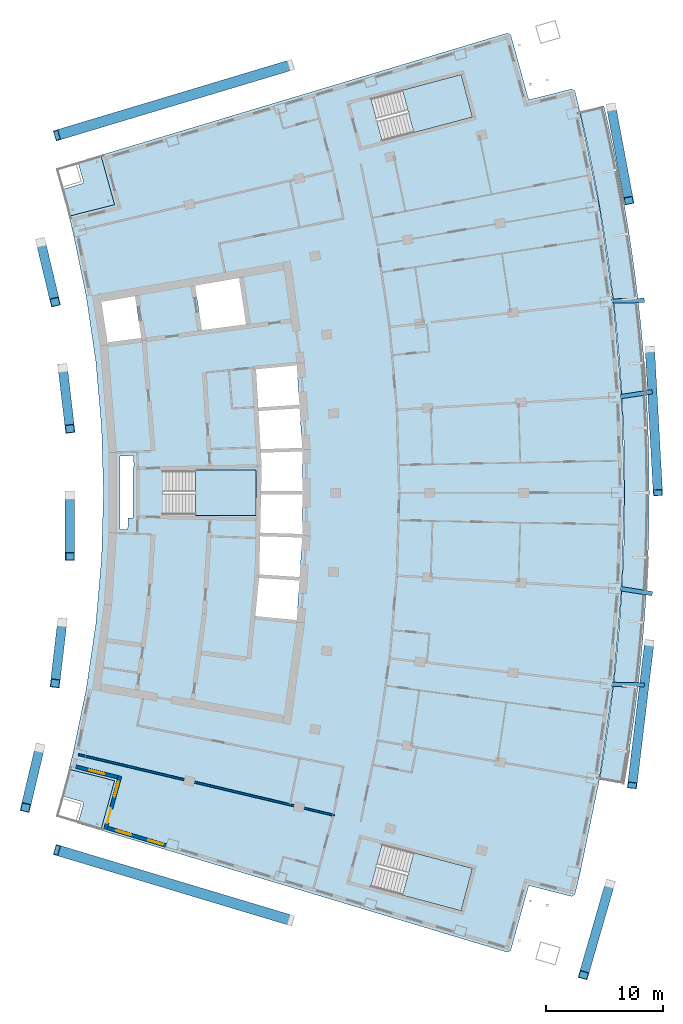
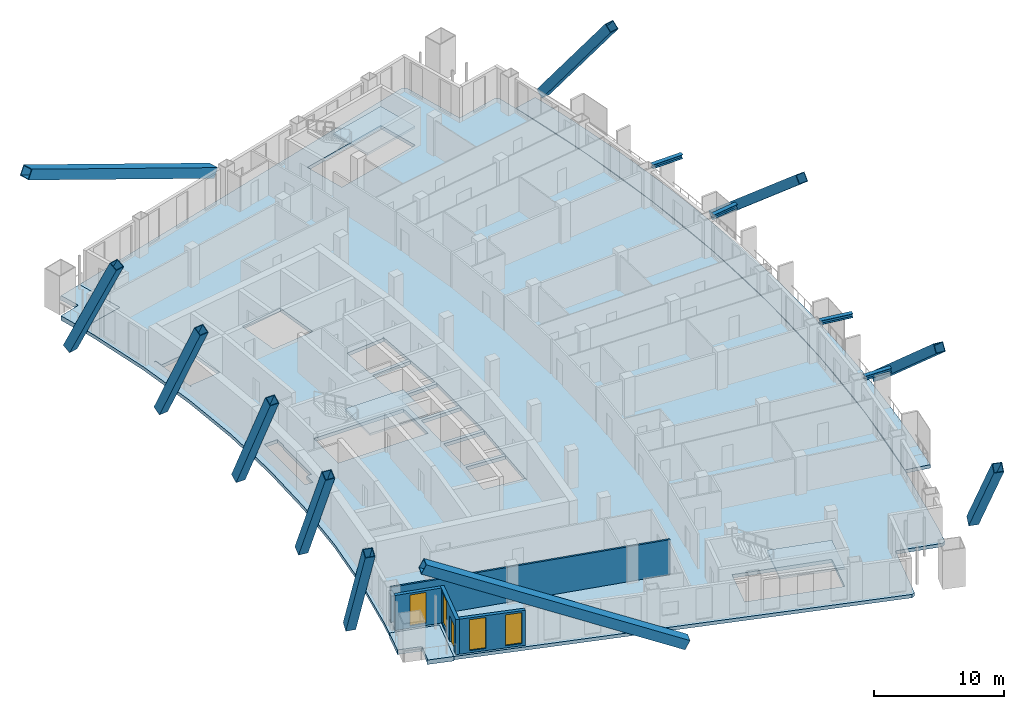
# One storey, part 9 of 20: 15 members, 7 slabs, 4 walls, 4 windows, 1 door, 5 openings, 3 elements without a shape of their own.
"""IFC4 building model written with IfcOpenShell, lengths in metres."""

from ifc_helpers import new_model, si_unit, direction, frame, frame_2d, origin, origin_2d, place, context, subcontext, project, spatial, polyline, rectangle, hollow_rectangle, i_section, outline, extrude, material, layer, layer_set, material_profile, profile_set, type_object, element, fill, aggregate, save


model = new_model("IFC4")

# Units and contexts
model_context = context("Model", 3, precision=1e-05, world=origin(), true_north=direction((0.0, 1.0)))
body_context = subcontext(model_context, "Body", "Model", "MODEL_VIEW")
ifc_project = project(units=[si_unit("LENGTHUNIT", "METRE"), si_unit("AREAUNIT", "SQUARE_METRE"), si_unit("VOLUMEUNIT", "CUBIC_METRE"), si_unit("PLANEANGLEUNIT", "RADIAN"), si_unit("MASSUNIT", "GRAM", prefix="KILO")], contexts=[model_context])

# Site, building, storey
site_placement = place(None, origin())
site = spatial("IfcSite", under=ifc_project, at=site_placement, CompositionType="ELEMENT")
building_placement = place(site_placement, origin())
building = spatial("IfcBuilding", under=site, at=building_placement, Name="Alderwake Tower", CompositionType="ELEMENT")
storey_placement = place(building_placement, frame((0.0, 0.0, 149.60009765625)))
storey = spatial("IfcBuildingStorey", under=building, at=storey_placement, Name="L36", CompositionType="ELEMENT", Elevation=149.60009765625)

# Members
ifc_material_1 = material(Name="Steel ASTM A992 Grade 50", Category="steel")
ifc_material_profile_1 = material_profile(ifc_material_1, i_section(OverallWidth=0.3740234375, OverallDepth=0.372314453125, WebThickness=0.016357421875, FlangeThickness=0.026123046875, at=origin_2d()), Name="W14X132")
ifc_profile_set_1 = profile_set([ifc_material_profile_1], Name="Steel ASTM A992 Grade 50")
member_type_1 = type_object("IfcMemberType", Name="Brace node stub W14X132", PredefinedType="MEMBER", material=ifc_profile_set_1)
member_1_placement = place(storey_placement, frame((60.061279296875, 52.817138671875, 3.393798828125), z_axis=(0.988299148252, -0.152528009113, 0.0), x_axis=(0.152528009113, 0.988299148252, 0.0)))
element("IfcMember", 1, at=member_1_placement, inside=storey, type_object=member_type_1, Name="Brace node stub BS.FR06-C5.1532", PredefinedType="MEMBER", context=body_context, shape_type="SweptSolid", body=[
    extrude(i_section(OverallWidth=0.3740234375, OverallDepth=0.372314453125, WebThickness=0.016357421875, FlangeThickness=0.026123046875, at=origin_2d()), origin(), (0.0, 0.0, 1.0), 2.7275390625),
])
for number, where, z_axis, x_axis, name in (
    (2, (59.3466796875, 44.672119140625, 3.393798828125), (0.999759542039, -0.021928476974, 0.0), (0.021928476974, 0.999759542039, 0.0), "Brace node stub BS.FR05-C5.1532"),
    (3, (59.3466796875, 77.327880859375, 3.393798828125), (0.999759542039, 0.021928476974, 0.0), (-0.021928476974, 0.999759542039, 0.0), "Brace node stub BS.FR09-C5.1532"),
):
    element("IfcMember", number, at=place(storey_placement, frame(where, z_axis=z_axis, x_axis=x_axis)), inside=storey, type_object=member_type_1, Name=name, PredefinedType="MEMBER", context=body_context, shape_type="SweptSolid", body=[
        extrude(i_section(OverallWidth=0.3740234375, OverallDepth=0.372314453125, WebThickness=0.016357421875, FlangeThickness=0.026123046875, at=origin_2d()), origin(), (0.0, 0.0, 1.0), 2.727783203125),
    ])
member_2_placement = place(storey_placement, frame((60.061279296875, 69.182861328125, 3.393798828125), z_axis=(0.988299148252, 0.152528009113, 0.0), x_axis=(-0.152528009113, 0.988299148252, 0.0)))
element("IfcMember", 4, at=member_2_placement, inside=storey, type_object=member_type_1, Name="Brace node stub BS.FR08-C5.1532", PredefinedType="MEMBER", context=body_context, shape_type="SweptSolid", body=[
    extrude(i_section(OverallWidth=0.3740234375, OverallDepth=0.372314453125, WebThickness=0.016357421875, FlangeThickness=0.026123046875, at=origin_2d()), origin(), (0.0, 0.0, 1.0), 2.7275390625),
])
ifc_material_2 = material(Name="Steel ASTM A572 Grade 50", Category="steel")
ifc_material_profile_2 = material_profile(ifc_material_2, hollow_rectangle(XDim=0.89990234375, YDim=0.89990234375, WallThickness=0.054931640625, at=origin_2d()), Name="BOX 900X900X55")
ifc_profile_set_2 = profile_set([ifc_material_profile_2], Name="Steel ASTM A572 Grade 50")
member_type_2 = type_object("IfcMemberType", Name="Mega brace end Z3", PredefinedType="BRACE", material=ifc_profile_set_2)
for number, where, z_axis, x_axis, name in (
    (5, (31.951416015625, 24.56982421875, 0.352294921875), (-0.855858506638, 0.256954749578, 0.448865763102), (-0.287550335929, -0.95776552679, 0.0), "Brace BRS3.1.0B2"),
    (6, (31.951416015625, 97.43017578125, 0.352294921875), (-0.855858506638, -0.256954749578, 0.448865763102), (0.287550335929, -0.95776552679, 0.0), "Brace BRN3.1.0B2"),
):
    element("IfcMember", number, at=place(storey_placement, frame(where, z_axis=z_axis, x_axis=x_axis)), inside=storey, type_object=member_type_2, Name=name, PredefinedType="BRACE", context=body_context, shape_type="SweptSolid", body=[
        extrude(hollow_rectangle(XDim=0.89990234375, YDim=0.89990234375, WallThickness=0.054931640625, at=origin_2d()), origin(), (0.0, 0.0, 1.0), 23.275390625),
    ])
ifc_material_3 = material(Name="Steel ASTM A572 Grade 50", Category="steel")
ifc_material_profile_3 = material_profile(ifc_material_3, hollow_rectangle(XDim=0.800048828125, YDim=0.800048828125, WallThickness=0.050048828125, at=origin_2d()), Name="BOX 800X800X50")
ifc_profile_set_3 = profile_set([ifc_material_profile_3], Name="Steel ASTM A572 Grade 50")
member_type_3 = type_object("IfcMemberType", Name="Mega brace face Z3", PredefinedType="BRACE", material=ifc_profile_set_3)
member_3_placement = place(storey_placement, frame((59.1455078125, 27.668212890625, 0.359619140625), z_axis=(-0.169929314285, -0.588356218063, 0.790544741816), x_axis=(0.960731709753, -0.277478975556, 0.0)))
element("IfcMember", 7, at=member_3_placement, inside=storey, type_object=member_type_3, Name="Brace BRF3.1.2B2", PredefinedType="BRACE", context=body_context, shape_type="SweptSolid", body=[
    extrude(hollow_rectangle(XDim=0.800048828125, YDim=0.800048828125, WallThickness=0.050048828125, at=origin_2d()), origin(), (0.0, 0.0, 1.0), 13.206298828125),
])
for number, where, z_axis, x_axis, name in (
    (8, (62.50244140625, 48.188232421875, 0.296630859375), (-0.090283481766, -0.752806920059, 0.652020424551), (0.992885159656, -0.119075857061, 0.0), "Brace BRF3.1.4B2"),
    (9, (62.556640625, 73.19482421875, 0.296630859375), (0.042163381491, -0.757031238495, 0.652016835061), (0.998452593864, 0.055609511834, 0.0), "Brace BRF3.1.7B2"),
):
    element("IfcMember", number, at=place(storey_placement, frame(where, z_axis=z_axis, x_axis=x_axis)), inside=storey, type_object=member_type_3, Name=name, PredefinedType="BRACE", context=body_context, shape_type="SweptSolid", body=[
        extrude(hollow_rectangle(XDim=0.800048828125, YDim=0.800048828125, WallThickness=0.050048828125, at=origin_2d()), origin(), (0.0, 0.0, 1.0), 16.108642578125),
    ])
member_4_placement = place(storey_placement, frame((59.26318359375, 93.835693359375, 0.359619140625), z_axis=(0.112952804321, -0.601903495235, 0.790540224416), x_axis=(0.982843811329, 0.184439807341, 0.0)))
element("IfcMember", 10, at=member_4_placement, inside=storey, type_object=member_type_3, Name="Brace BRF3.1.10B2", PredefinedType="BRACE", context=body_context, shape_type="SweptSolid", body=[
    extrude(hollow_rectangle(XDim=0.800048828125, YDim=0.800048828125, WallThickness=0.050048828125, at=origin_2d()), origin(), (0.0, 0.0, 1.0), 13.206298828125),
])
for number, where, z_axis, x_axis, name in (
    (11, (10.565185546875, 39.244873046875, 0.446533203125), (-0.103997175799, -0.437638986046, 0.893116288799), (0.972907596897, -0.231194307674, 0.0), "Brace BRR3.1.2B2"),
    (12, (12.48193359375, 49.934814453125, 0.446533203125), (-0.052356365347, -0.446777125692, 0.893111981202), (0.993203552049, -0.11639030972, 0.0), "Brace BRR3.1.4B2"),
    (13, (13.141357421875, 60.775146484375, 0.446533203125), (0.0, -0.44983160539, 0.893113389661), (1.0, 0.0, 0.0), "Brace BRR3.1.6B2"),
    (14, (12.5341796875, 71.618408203125, 0.446533203125), (0.052377860897, -0.44675977612, 0.893119399705), (0.993197504065, 0.116441907915, 0.0), "Brace BRR3.1.8B2"),
    (15, (10.669189453125, 82.3173828125, 0.446533203125), (0.104018967251, -0.437621000304, 0.893122564123), (0.972894561236, 0.231249157223, 0.0), "Brace BRR3.1.10B2"),
):
    element("IfcMember", number, at=place(storey_placement, frame(where, z_axis=z_axis, x_axis=x_axis)), inside=storey, type_object=member_type_3, Name=name, PredefinedType="BRACE", context=body_context, shape_type="SweptSolid", body=[
        extrude(hollow_rectangle(XDim=0.800048828125, YDim=0.800048828125, WallThickness=0.050048828125, at=origin_2d()), origin(), (0.0, 0.0, 1.0), 11.59228515625),
    ])

# Slabs
ifc_material_4 = material(Name="Concrete C50/60", Category="concrete")
ifc_layer_1 = layer(ifc_material_4, 0.320068359375)
ifc_layer_set_1 = layer_set([ifc_layer_1], Name="Balcony slab 320")
slab_type_1 = type_object("IfcSlabType", Name="Balcony slab 320", PredefinedType="FLOOR", material=ifc_layer_set_1)
slab_1_placement = place(storey_placement, frame((0.0, 0.0, -0.320068359375)))
element("IfcSlab", 16, at=slab_1_placement, inside=storey, type_object=slab_type_1, Name="Balcony BF04", PredefinedType="FLOOR", context=body_context, shape_type="SweptSolid", body=[
    extrude(outline(polyline([(60.67041015625, 38.238525390625), (60.9873046875, 40.292236328125), (61.2744140625, 42.3505859375), (61.53125, 44.41259765625), (61.758056640625, 46.478515625), (61.954833984375, 48.547119140625), (62.121337890625, 50.61865234375), (62.257568359375, 52.692138671875), (62.363525390625, 54.767578125), (62.439453125, 56.84423828125), (62.48486328125, 58.921875), (62.5, 61.0), (62.48486328125, 63.078125), (62.439453125, 65.15576171875), (62.363525390625, 67.232421875), (62.257568359375, 69.307861328125), (62.121337890625, 71.38134765625), (61.954833984375, 73.452880859375), (61.758056640625, 75.521484375), (61.53125, 77.58740234375), (61.2744140625, 79.6494140625), (60.9873046875, 81.707763671875), (60.67041015625, 83.761474609375), (60.323486328125, 85.810302734375), (59.94677734375, 87.85400390625), (59.540283203125, 89.89208984375), (59.104248046875, 91.923828125), (58.638427734375, 93.94921875), (56.59521484375, 93.46337890625), (57.05419921875, 91.468017578125), (57.48388671875, 89.46630859375), (57.884521484375, 87.458251953125), (58.255615234375, 85.44482421875), (58.597412109375, 83.426025390625), (58.90966796875, 81.402587890625), (59.1923828125, 79.37451171875), (59.445556640625, 77.343017578125), (59.669189453125, 75.3076171875), (59.86279296875, 73.269287109375), (60.02685546875, 71.228515625), (60.1611328125, 69.185302734375), (60.265625, 67.140380859375), (60.34033203125, 65.094482421875), (60.385009765625, 63.04736328125), (60.39990234375, 61.0), (60.385009765625, 58.95263671875), (60.34033203125, 56.905517578125), (60.265625, 54.859619140625), (60.1611328125, 52.814697265625), (60.02685546875, 50.771484375), (59.86279296875, 48.730712890625), (59.669189453125, 46.6923828125), (59.445556640625, 44.656982421875), (59.1923828125, 42.62548828125), (58.90966796875, 40.597412109375), (58.597412109375, 38.573974609375), (58.255615234375, 36.55517578125), (60.323486328125, 36.189697265625), (60.67041015625, 38.238525390625)])), origin(), (0.0, 0.0, 1.0), 0.320068359375),
])
ifc_material_5 = material(Name="Concrete C50/60", Category="concrete")
ifc_layer_2 = layer(ifc_material_5, 0.320068359375)
ifc_layer_set_2 = layer_set([ifc_layer_2], Name="Concrete C50/60 post-tensioned flat plate 320")
slab_type_2 = type_object("IfcSlabType", Name="Concrete C50/60 post-tensioned flat plate 320", PredefinedType="FLOOR", material=ifc_layer_set_2)
slab_2_placement = place(storey_placement, frame((0.0, 0.0, -0.320068359375)))
element("IfcSlab", 17, at=slab_2_placement, inside=storey, type_object=slab_type_2, Name="Floor slab L36", PredefinedType="FLOOR", context=body_context, shape_type="SweptSolid", body=[
    extrude(outline(polyline([(13.06494140625, 37.443115234375), (13.3984375, 38.802734375), (14.53369140625, 44.28564453125), (15.347412109375, 49.825439453125), (15.836669921875, 55.4033203125), (16.0, 61.0), (15.836669921875, 66.5966796875), (15.347412109375, 72.174560546875), (14.53369140625, 77.71435546875), (13.3984375, 83.197265625), (13.06494140625, 84.556884765625), (16.942626953125, 85.53857421875), (15.776611328125, 89.7548828125), (50.4189453125, 100.155517578125), (50.70068359375, 100.0), (52.229736328125, 94.470458984375), (55.884521484375, 95.3955078125), (56.162109375, 95.228515625), (56.59521484375, 93.46337890625), (58.255615234375, 85.44482421875), (59.445556640625, 77.343017578125), (60.1611328125, 69.185302734375), (60.39990234375, 61.0), (60.1611328125, 52.814697265625), (59.445556640625, 44.656982421875), (58.255615234375, 36.55517578125), (56.59521484375, 28.53662109375), (56.162109375, 26.771484375), (55.884521484375, 26.6044921875), (52.229736328125, 27.529541015625), (50.70068359375, 22.0), (50.4189453125, 21.844482421875), (15.776611328125, 32.2451171875), (16.942626953125, 36.46142578125), (13.06494140625, 37.443115234375)]), holes=[polyline([(29.2578125, 53.77197265625), (28.9365234375, 50.4912109375), (32.447509765625, 50.147705078125), (32.432861328125, 49.998291015625), (32.462646484375, 49.995361328125), (32.701416015625, 53.660888671875), (32.940185546875, 57.32666015625), (32.940185546875, 61.0), (32.940185546875, 64.67333984375), (32.701416015625, 68.339111328125), (32.462646484375, 72.004638671875), (32.432861328125, 72.001708984375), (32.447509765625, 71.852294921875), (28.886962890625, 71.50390625), (28.88720703125, 71.50048828125), (28.99462890625, 71.506591796875), (29.184814453125, 68.26025390625), (32.66162109375, 68.48681640625), (32.67138671875, 68.337158203125), (32.68115234375, 68.1875), (29.2021484375, 67.960693359375), (29.392578125, 64.7080078125), (32.9052734375, 64.822265625), (32.91015625, 64.67236328125), (32.9150390625, 64.5224609375), (29.41015625, 64.408447265625), (29.4765625, 63.27685546875), (29.429443359375, 61.14990234375), (32.91015625, 61.14990234375), (32.91015625, 61.0), (32.91015625, 60.85009765625), (29.4228515625, 60.85009765625), (29.350830078125, 57.593505859375), (32.9150390625, 57.4775390625), (32.91015625, 57.32763671875), (32.9052734375, 57.177734375), (29.34423828125, 57.29345703125), (29.2705078125, 53.969482421875), (29.274169921875, 53.969482421875), (29.2783203125, 54.0341796875), (32.68115234375, 53.8125), (32.67138671875, 53.662841796875), (32.66162109375, 53.51318359375), (29.2587890625, 53.73486328125), (29.26123046875, 53.771728515625), (29.2578125, 53.77197265625)]), polyline([(21.050048828125, 62.875), (21.050048828125, 59.125), (29.0, 59.125), (29.0, 62.875), (21.050048828125, 62.875)]), polyline([(15.739013671875, 77.927490234375), (15.5361328125, 77.8916015625), (15.536865234375, 77.887939453125), (15.716796875, 77.91552734375), (16.379150390625, 73.605712890625), (16.4091796875, 73.609619140625), (16.38330078125, 73.80810546875), (19.224853515625, 74.1796875), (18.689697265625, 77.74365234375), (18.885986328125, 77.773193359375), (18.8837890625, 77.787109375), (15.854248046875, 77.261962890625), (15.739013671875, 77.927490234375)]), polyline([(27.555419921875, 79.29052734375), (23.811767578125, 78.6416015625), (24.384033203125, 74.8583984375), (24.373291015625, 74.856689453125), (24.373779296875, 74.85302734375), (28.152587890625, 75.347412109375), (27.555419921875, 79.29052734375)]), polyline([(47.436279296875, 28.996826171875), (39.754150390625, 31.043212890625), (38.7890625, 27.41943359375), (46.47119140625, 25.373291015625), (47.436279296875, 28.996826171875)]), polyline([(46.47119140625, 96.626708984375), (38.7890625, 94.58056640625), (39.754150390625, 90.956787109375), (47.436279296875, 93.003173828125), (46.47119140625, 96.626708984375)]), polyline([(17.389404296875, 64.1220703125), (17.389404296875, 57.8779296875), (18.06298828125, 57.85400390625), (18.090576171875, 58.84375), (18.544189453125, 58.831298828125), (18.529296875, 58.8681640625), (18.5234375, 58.891845703125), (18.5185546875, 58.940673828125), (18.5185546875, 63.060302734375), (18.5234375, 63.109130859375), (18.53759765625, 63.156005859375), (18.560791015625, 63.19921875), (18.588623046875, 63.2333984375), (18.562744140625, 64.16357421875), (17.389404296875, 64.1220703125)])]), origin(), (0.0, 0.0, 1.0), 0.320068359375),
])

# Stair, slab
ifc_material_6 = material(Name="Concrete C40/50", Category="concrete")
stair_type = type_object("IfcStairType", Name="Core exit stair", PredefinedType="HALF_TURN_STAIR", material=ifc_material_6)
stair_1_placement = place(storey_placement, origin())
stair_1 = element("IfcStair", 18, at=stair_1_placement, inside=storey, type_object=stair_type, Name="L36 Exit Stair B", PredefinedType="HALF_TURN_STAIR")
ifc_material_7 = material(Name="Concrete C40/50", Category="concrete")
ifc_layer_3 = layer(ifc_material_7, 0.199951171875)
ifc_layer_set_3 = layer_set([ifc_layer_3], Name="Core stair landing 200")
slab_type_3 = type_object("IfcSlabType", Name="Core stair landing 200", PredefinedType="LANDING", material=ifc_layer_set_3)
slab_3_placement = place(storey_placement, frame((0.0, 0.0, 1.599853515625)))
slab_3 = element("IfcSlab", 19, at=slab_3_placement, type_object=slab_type_3, Name="ST-B landing 1", PredefinedType="LANDING", context=body_context, shape_type="SweptSolid", body=[
    extrude(outline(polyline([(23.830078125, 59.074951171875), (29.0, 59.074951171875), (29.0, 62.925048828125), (23.830078125, 62.925048828125), (23.830078125, 59.074951171875)])), origin(), (0.0, 0.0, 1.0), 0.199951171875),
])
aggregate(stair_1, [slab_3])

stair_2_placement = place(storey_placement, origin())
stair_2 = element("IfcStair", 20, at=stair_2_placement, inside=storey, type_object=stair_type, Name="L36 Exit Stair A", PredefinedType="HALF_TURN_STAIR")
slab_4_placement = place(storey_placement, frame((0.0, 0.0, 1.599853515625)))
slab_4 = element("IfcSlab", 21, at=slab_4_placement, type_object=slab_type_3, Name="ST-A landing 1", PredefinedType="LANDING", context=body_context, shape_type="SweptSolid", body=[
    extrude(outline(polyline([(42.440673828125, 91.67236328125), (47.436279296875, 93.003173828125), (46.47119140625, 96.626708984375), (41.475341796875, 95.296142578125), (42.440673828125, 91.67236328125)])), origin(), (0.0, 0.0, 1.0), 0.199951171875),
])
aggregate(stair_2, [slab_4])

stair_3_placement = place(storey_placement, origin())
stair_3 = element("IfcStair", 22, at=stair_3_placement, inside=storey, type_object=stair_type, Name="L36 Exit Stair C", PredefinedType="HALF_TURN_STAIR")
slab_5_placement = place(storey_placement, frame((0.0, 0.0, 1.599853515625)))
slab_5 = element("IfcSlab", 23, at=slab_5_placement, type_object=slab_type_3, Name="ST-C landing 1", PredefinedType="LANDING", context=body_context, shape_type="SweptSolid", body=[
    extrude(outline(polyline([(41.475341796875, 26.703857421875), (46.47119140625, 25.373291015625), (47.436279296875, 28.996826171875), (42.4404296875, 30.32763671875), (41.475341796875, 26.703857421875)])), origin(), (0.0, 0.0, 1.0), 0.199951171875),
])
aggregate(stair_3, [slab_5])

# Slabs
ifc_material_8 = material(Name="Concrete C50/60", Category="concrete")
ifc_layer_4 = layer(ifc_material_8, 0.419921875)
ifc_layer_set_4 = layer_set([ifc_layer_4], Name="Terrace slab 420")
slab_type_4 = type_object("IfcSlabType", Name="Terrace slab 420", PredefinedType="FLOOR", material=ifc_layer_set_4)
slab_6_placement = place(storey_placement, frame((0.0, 0.0, -0.420166015625)))
element("IfcSlab", 24, at=slab_6_placement, inside=storey, type_object=slab_type_4, Name="Corner terrace RS", PredefinedType="FLOOR", context=body_context, shape_type="SweptSolid", body=[
    extrude(outline(polyline([(15.776611328125, 32.2451171875), (13.768798828125, 32.847900390625), (13.77685546875, 32.851806640625), (13.789306640625, 32.859619140625), (13.801025390625, 32.868408203125), (13.81201171875, 32.878662109375), (13.82177734375, 32.8896484375), (13.830322265625, 32.901611328125), (13.837646484375, 32.914306640625), (13.84375, 32.927490234375), (13.8486328125, 32.94140625), (14.29443359375, 34.478271484375), (14.2978515625, 34.492431640625), (14.2998046875, 34.507080078125), (14.30029296875, 34.521728515625), (14.29931640625, 34.53662109375), (14.297119140625, 34.551025390625), (14.29345703125, 34.565185546875), (14.2880859375, 34.5791015625), (14.28173828125, 34.59228515625), (14.27392578125, 34.604736328125), (14.26513671875, 34.616455078125), (14.255126953125, 34.627197265625), (14.244140625, 34.63720703125), (14.232177734375, 34.645751953125), (14.219482421875, 34.653076171875), (14.2060546875, 34.6591796875), (14.192138671875, 34.6640625), (12.46337890625, 35.16552734375), (12.456787109375, 35.1669921875), (12.71142578125, 36.08837890625), (13.06494140625, 37.443115234375), (16.942626953125, 36.46142578125), (15.776611328125, 32.2451171875)])), origin(), (0.0, 0.0, 1.0), 0.420166015625),
])
slab_7_placement = place(storey_placement, frame((0.0, 0.0, -0.420166015625)))
element("IfcSlab", 25, at=slab_7_placement, inside=storey, type_object=slab_type_4, Name="Corner terrace RN", PredefinedType="FLOOR", context=body_context, shape_type="SweptSolid", body=[
    extrude(outline(polyline([(12.456787109375, 86.8330078125), (12.46337890625, 86.83447265625), (14.192138671875, 87.3359375), (14.2060546875, 87.3408203125), (14.219482421875, 87.346923828125), (14.232177734375, 87.354248046875), (14.244140625, 87.36279296875), (14.255126953125, 87.372802734375), (14.26513671875, 87.383544921875), (14.27392578125, 87.395263671875), (14.28173828125, 87.40771484375), (14.2880859375, 87.4208984375), (14.29345703125, 87.434814453125), (14.297119140625, 87.448974609375), (14.29931640625, 87.46337890625), (14.30029296875, 87.478271484375), (14.2998046875, 87.492919921875), (14.2978515625, 87.507568359375), (14.29443359375, 87.521728515625), (13.8486328125, 89.05859375), (13.84375, 89.072509765625), (13.837646484375, 89.085693359375), (13.830322265625, 89.098388671875), (13.82177734375, 89.1103515625), (13.81201171875, 89.121337890625), (13.801025390625, 89.131591796875), (13.789306640625, 89.140380859375), (13.77685546875, 89.148193359375), (13.768798828125, 89.152099609375), (15.776611328125, 89.7548828125), (16.942626953125, 85.53857421875), (13.06494140625, 84.556884765625), (12.71142578125, 85.91162109375), (12.456787109375, 86.8330078125)])), origin(), (0.0, 0.0, 1.0), 0.420166015625),
])

# Wall
ifc_material_9 = material(Name="Gypsum board on metal studs, rated")
ifc_layer_5 = layer(ifc_material_9, 0.159912109375)
ifc_layer_set_5 = layer_set([ifc_layer_5], Name="Corridor wall 160")
wall_type_1 = type_object("IfcWallType", Name="Corridor wall 160", PredefinedType="PARTITIONING", material=ifc_layer_set_5)
wall_1_placement = place(storey_placement, frame((13.884033203125, 38.68798828125, 0.0), z_axis=(0.0, 0.0, 1.0), x_axis=(0.972893462073, -0.231253781493, 0.0)))
element("IfcWall", 26, at=wall_1_placement, inside=storey, type_object=wall_type_1, Name="WL/L36/W11", PredefinedType="PARTITIONING", context=body_context, shape_type="SweptSolid", body=[
    extrude(rectangle(XDim=22.38037109375, YDim=0.159912109375, at=frame_2d((11.190185546875, 0.0))), origin(), (0.0, 0.0, 1.0), 3.27978515625),
])

# Wall, opening, window
ifc_material_10 = material(Name="Bronze metal cladding on lightweight framing")
ifc_layer_6 = layer(ifc_material_10, 0.300048828125)
ifc_layer_set_6 = layer_set([ifc_layer_6], Name="External wall EW2 bronze metal cladding")
wall_type_2 = type_object("IfcWallType", Name="External wall EW2 bronze metal cladding", PredefinedType="SOLIDWALL", material=ifc_layer_set_6)
wall_2_placement = place(storey_placement, frame((13.633056640625, 37.660400390625, 0.0), z_axis=(0.0, 0.0, 1.0), x_axis=(0.969417366605, -0.245417948254, 0.0)))
wall_2 = element("IfcWall", 27, at=wall_2_placement, inside=storey, type_object=wall_type_2, Name="External wall 2", PredefinedType="SOLIDWALL", context=body_context, shape_type="SweptSolid", body=[
    extrude(rectangle(XDim=3.70556640625, YDim=0.300048828125, at=frame_2d((1.852783203125, 0.0))), origin(), (0.0, 0.0, 1.0), 3.27978515625),
])
opening_1_placement = place(wall_2_placement, frame((1.202880859375, 0.0, 0.199951171875)))
opening_1 = element("IfcOpeningElement", 28, at=opening_1_placement, cuts=wall_2, Name="Opening W1", PredefinedType="OPENING", context=body_context, shape_type="SweptSolid", body=[
    extrude(rectangle(XDim=1.300048828125, YDim=2.89990234375, at=frame_2d((0.64990234375, 1.449951171875))), frame((0.0, 0.159912109375, 0.0), z_axis=(0.0, -1.0, 0.0), x_axis=(1.0, 0.0, 0.0)), (0.0, 0.0, 1.0), 0.320068359375),
])
ifc_material_11 = material(Name="Bronze tinted glass in aluminium frame", Category="aluminium")
window_type = type_object("IfcWindowType", Name="Window W1 tall fixed and vent", PartitioningType="DOUBLE_PANEL_VERTICAL", PredefinedType="WINDOW", material=ifc_material_11)
window_1_placement = place(opening_1_placement, origin())
window_1 = element("IfcWindow", 29, at=window_1_placement, inside=storey, type_object=window_type, Name="Window W1 tall fixed and vent", OverallHeight=2.89990234375, OverallWidth=1.300048828125, PartitioningType="DOUBLE_PANEL_VERTICAL", PredefinedType="WINDOW", context=body_context, shape_type="SweptSolid", body=[
    extrude(rectangle(XDim=1.300048828125, YDim=2.89990234375, at=frame_2d((0.64990234375, 1.449951171875))), frame((0.0, 0.030029296875, 0.0), z_axis=(0.0, -1.0, 0.0), x_axis=(1.0, 0.0, 0.0)), (0.0, 0.0, 1.0), 0.06005859375),
])
fill(opening_1, window_1)

# Wall, openings, door, window
wall_3_placement = place(storey_placement, frame((17.410400390625, 36.85888671875, 0.0), z_axis=(0.0, 0.0, 1.0), x_axis=(-0.264592640785, -0.96436027212, 0.0)))
wall_3 = element("IfcWall", 30, at=wall_3_placement, inside=storey, type_object=wall_type_2, Name="External wall 3", PredefinedType="SOLIDWALL", context=body_context, shape_type="SweptSolid", body=[
    extrude(rectangle(XDim=4.690185546875, YDim=0.300048828125, at=frame_2d((2.34521484375, 0.0))), origin(), (0.0, 0.0, 1.0), 3.27978515625),
])
opening_2_placement = place(wall_3_placement, frame((0.5224609375, 0.0, 0.199951171875)))
opening_2 = element("IfcOpeningElement", 31, at=opening_2_placement, cuts=wall_3, Name="Opening W1", PredefinedType="OPENING", context=body_context, shape_type="SweptSolid", body=[
    extrude(rectangle(XDim=1.300048828125, YDim=2.89990234375, at=frame_2d((0.64990234375, 1.449951171875))), frame((0.0, 0.159912109375, 0.0), z_axis=(0.0, -1.0, 0.0), x_axis=(1.0, 0.0, 0.0)), (0.0, 0.0, 1.0), 0.320068359375),
])
opening_3_placement = place(wall_3_placement, frame((2.867431640625, 0.0, 0.0)))
opening_3 = element("IfcOpeningElement", 32, at=opening_3_placement, cuts=wall_3, Name="Opening D01", PredefinedType="OPENING", context=body_context, shape_type="SweptSolid", body=[
    extrude(rectangle(XDim=1.300048828125, YDim=2.39990234375, at=frame_2d((0.64990234375, 1.199951171875))), frame((0.0, 0.159912109375, 0.0), z_axis=(0.0, -1.0, 0.0), x_axis=(1.0, 0.0, 0.0)), (0.0, 0.0, 1.0), 0.320068359375),
])
ifc_material_12 = material(Name="Bronze tinted glass in aluminium frame", Category="aluminium")
door_type = type_object("IfcDoorType", Name="Balcony door BD sliding", OperationType="SLIDING_TO_LEFT", PredefinedType="DOOR", material=ifc_material_12)
door_placement = place(opening_3_placement, origin())
door = element("IfcDoor", 33, at=door_placement, inside=storey, type_object=door_type, Name="Door D01", OperationType="SLIDING_TO_LEFT", OverallHeight=2.39990234375, OverallWidth=1.300048828125, PredefinedType="DOOR", context=body_context, shape_type="SweptSolid", body=[
    extrude(rectangle(XDim=1.300048828125, YDim=2.39990234375, at=frame_2d((0.64990234375, 1.199951171875))), frame((0.0, 0.02490234375, 0.0), z_axis=(0.0, -1.0, 0.0), x_axis=(1.0, 0.0, 0.0)), (0.0, 0.0, 1.0), 0.050048828125),
])
fill(opening_3, door)
window_2_placement = place(opening_2_placement, origin())
window_2 = element("IfcWindow", 34, at=window_2_placement, inside=storey, type_object=window_type, Name="Window W1 tall fixed and vent", OverallHeight=2.89990234375, OverallWidth=1.300048828125, PartitioningType="DOUBLE_PANEL_VERTICAL", PredefinedType="WINDOW", context=body_context, shape_type="SweptSolid", body=[
    extrude(rectangle(XDim=1.300048828125, YDim=2.89990234375, at=frame_2d((0.64990234375, 1.449951171875))), frame((0.0, 0.030029296875, 0.0), z_axis=(0.0, -1.0, 0.0), x_axis=(1.0, 0.0, 0.0)), (0.0, 0.0, 1.0), 0.06005859375),
])
fill(opening_2, window_2)

# Wall, openings, windows
wall_4_placement = place(storey_placement, frame((16.352783203125, 32.4375, 0.0), z_axis=(0.0, 0.0, 1.0), x_axis=(0.95776681843, -0.287546033732, 0.0)))
wall_4 = element("IfcWall", 35, at=wall_4_placement, inside=storey, type_object=wall_type_2, Name="External wall 4", PredefinedType="SOLIDWALL", context=body_context, shape_type="SweptSolid", body=[
    extrude(rectangle(XDim=5.199462890625, YDim=0.300048828125, at=frame_2d((2.599609375, 0.0))), origin(), (0.0, 0.0, 1.0), 3.27978515625),
])
opening_4_placement = place(wall_4_placement, frame((0.775390625, 0.0, 0.199951171875)))
opening_4 = element("IfcOpeningElement", 36, at=opening_4_placement, cuts=wall_4, Name="Opening W1", PredefinedType="OPENING", context=body_context, shape_type="SweptSolid", body=[
    extrude(rectangle(XDim=1.300048828125, YDim=2.89990234375, at=frame_2d((0.64990234375, 1.449951171875))), frame((0.0, 0.159912109375, 0.0), z_axis=(0.0, -1.0, 0.0), x_axis=(1.0, 0.0, 0.0)), (0.0, 0.0, 1.0), 0.320068359375),
])
opening_5_placement = place(wall_4_placement, frame((3.626220703125, 0.0, 0.199951171875)))
opening_5 = element("IfcOpeningElement", 37, at=opening_5_placement, cuts=wall_4, Name="Opening W1", PredefinedType="OPENING", context=body_context, shape_type="SweptSolid", body=[
    extrude(rectangle(XDim=1.300048828125, YDim=2.89990234375, at=frame_2d((0.64990234375, 1.449951171875))), frame((0.0, 0.159912109375, 0.0), z_axis=(0.0, -1.0, 0.0), x_axis=(1.0, 0.0, 0.0)), (0.0, 0.0, 1.0), 0.320068359375),
])
window_3_placement = place(opening_4_placement, origin())
window_3 = element("IfcWindow", 38, at=window_3_placement, inside=storey, type_object=window_type, Name="Window W1 tall fixed and vent", OverallHeight=2.89990234375, OverallWidth=1.300048828125, PartitioningType="DOUBLE_PANEL_VERTICAL", PredefinedType="WINDOW", context=body_context, shape_type="SweptSolid", body=[
    extrude(rectangle(XDim=1.300048828125, YDim=2.89990234375, at=frame_2d((0.64990234375, 1.449951171875))), frame((0.0, 0.030029296875, 0.0), z_axis=(0.0, -1.0, 0.0), x_axis=(1.0, 0.0, 0.0)), (0.0, 0.0, 1.0), 0.06005859375),
])
fill(opening_4, window_3)
window_4_placement = place(opening_5_placement, origin())
window_4 = element("IfcWindow", 39, at=window_4_placement, inside=storey, type_object=window_type, Name="Window W1 tall fixed and vent", OverallHeight=2.89990234375, OverallWidth=1.300048828125, PartitioningType="DOUBLE_PANEL_VERTICAL", PredefinedType="WINDOW", context=body_context, shape_type="SweptSolid", body=[
    extrude(rectangle(XDim=1.300048828125, YDim=2.89990234375, at=frame_2d((0.64990234375, 1.449951171875))), frame((0.0, 0.030029296875, 0.0), z_axis=(0.0, -1.0, 0.0), x_axis=(1.0, 0.0, 0.0)), (0.0, 0.0, 1.0), 0.06005859375),
])
fill(opening_5, window_4)

save(model, "model.ifc")
